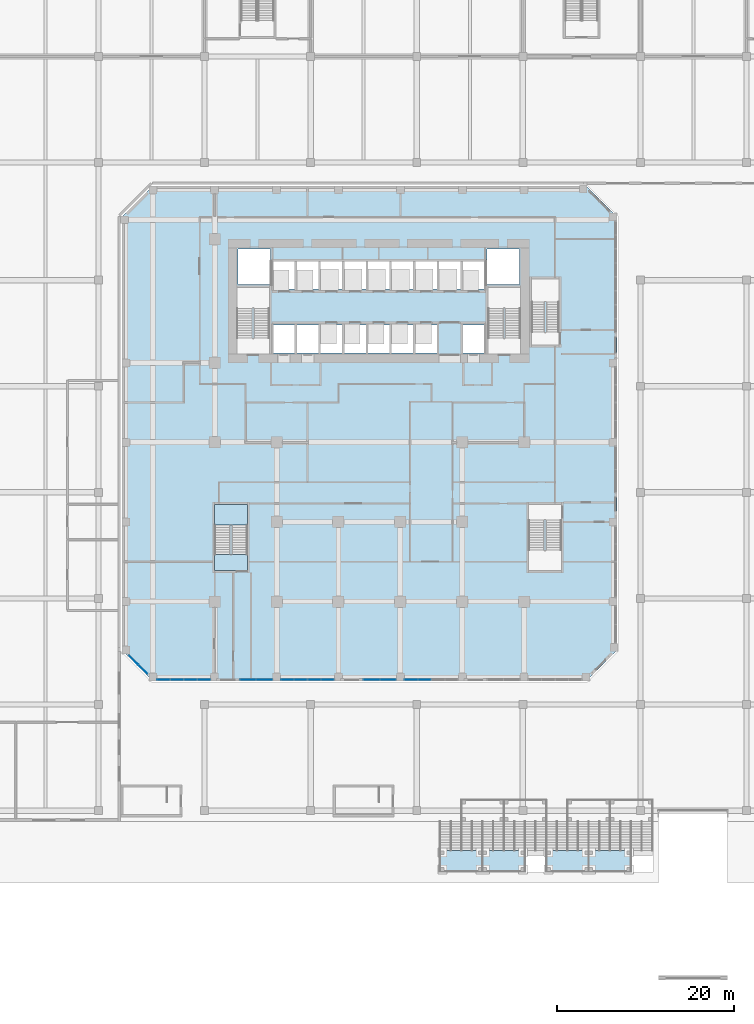
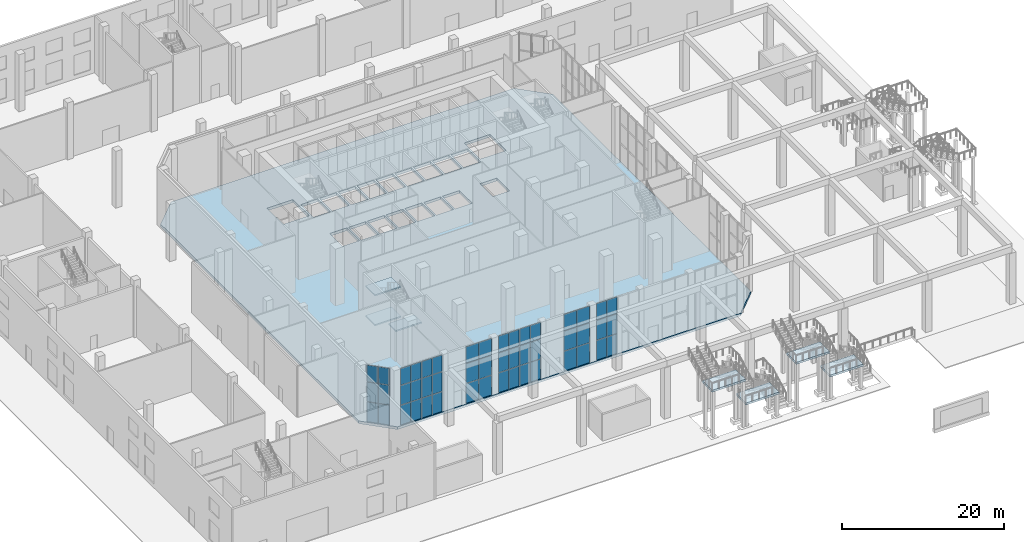
# One storey, part 14 of 43: 48 plates, 8 slabs, 11 elements without a shape of their own.
"""IFC4 building model written with IfcOpenShell, lengths in metres."""

from ifc_helpers import new_model, si_unit, direction, frame, origin, origin_2d, place, context, subcontext, project, spatial, polyline, rectangle, outline, extrude, source, transform, mapped, material, layer, layer_set, type_object, element, aggregate, save


model = new_model("IFC4")

# Units and contexts
model_context = context("Model", 3, precision=1e-05, world=origin(), true_north=direction((0.0, 1.0)))
body_context = subcontext(model_context, "Body", "Model", "MODEL_VIEW")
ifc_project = project(units=[si_unit("LENGTHUNIT", "METRE"), si_unit("AREAUNIT", "SQUARE_METRE"), si_unit("VOLUMEUNIT", "CUBIC_METRE"), si_unit("PLANEANGLEUNIT", "RADIAN"), si_unit("MASSUNIT", "GRAM", prefix="KILO")], contexts=[model_context])

# Site, building, storey
site_placement = place(None, origin())
site = spatial("IfcSite", under=ifc_project, at=site_placement, CompositionType="ELEMENT")
building_placement = place(site_placement, origin())
building = spatial("IfcBuilding", under=site, at=building_placement, Name="Kilnfold Tower and Market Hall", CompositionType="ELEMENT")
storey_placement = place(building_placement, origin())
storey = spatial("IfcBuildingStorey", under=building, at=storey_placement, Name="L00", CompositionType="ELEMENT", Elevation=0.0)

# Slab
ifc_material_1 = material(Name="Concrete C45", Category="concrete")
ifc_layer_1 = layer(ifc_material_1, 0.409912109375)
ifc_layer_set_1 = layer_set([ifc_layer_1], Name="Concrete C45")
slab_type_1 = type_object("IfcSlabType", Name="GROUND SLAB 410", PredefinedType="BASESLAB", material=ifc_layer_set_1)
shared_shape_1 = source(origin(), body_context, "Body", "SweptSolid", [
    extrude(outline(polyline([(-24.5, -28.0), (24.5, -28.0), (28.0, -24.5), (28.0, 24.5), (24.5, 28.0), (-24.5, 28.0), (-28.0, 24.5), (-28.0, -24.5), (-24.5, -28.0)]), holes=[polyline([(-11.175048828125, 16.875), (-14.875, 16.875), (-14.875, 20.875), (-11.175048828125, 20.875), (-11.175048828125, 16.875)]), polyline([(-8.455078125, 9.125), (-10.885009765625, 9.125), (-10.885009765625, 12.27490234375), (-8.455078125, 12.27490234375), (-8.455078125, 9.125)]), polyline([(-8.455078125, 16.324951171875), (-10.885009765625, 16.324951171875), (-10.885009765625, 19.47509765625), (-8.455078125, 19.47509765625), (-8.455078125, 16.324951171875)]), polyline([(-5.77490234375, 9.125), (-8.205078125, 9.125), (-8.205078125, 12.27490234375), (-5.77490234375, 12.27490234375), (-5.77490234375, 9.125)]), polyline([(-5.77490234375, 16.324951171875), (-8.205078125, 16.324951171875), (-8.205078125, 19.47509765625), (-5.77490234375, 19.47509765625), (-5.77490234375, 16.324951171875)]), polyline([(-3.094970703125, 9.125), (-5.52490234375, 9.125), (-5.52490234375, 12.27490234375), (-3.094970703125, 12.27490234375), (-3.094970703125, 9.125)]), polyline([(-5.52490234375, 16.324951171875), (-5.52490234375, 19.47509765625), (-3.094970703125, 19.47509765625), (-3.094970703125, 16.324951171875), (-5.52490234375, 16.324951171875)]), polyline([(-0.4150390625, 9.125), (-2.844970703125, 9.125), (-2.844970703125, 12.27490234375), (-0.4150390625, 12.27490234375), (-0.4150390625, 9.125)]), polyline([(-2.844970703125, 16.324951171875), (-2.844970703125, 19.47509765625), (-0.4150390625, 19.47509765625), (-0.4150390625, 16.324951171875), (-2.844970703125, 16.324951171875)]), polyline([(2.264892578125, 9.125), (-0.1650390625, 9.125), (-0.1650390625, 12.27490234375), (2.264892578125, 12.27490234375), (2.264892578125, 9.125)]), polyline([(-0.1650390625, 16.324951171875), (-0.1650390625, 19.47509765625), (2.264892578125, 19.47509765625), (2.264892578125, 16.324951171875), (-0.1650390625, 16.324951171875)]), polyline([(4.945068359375, 9.125), (2.514892578125, 9.125), (2.514892578125, 12.27490234375), (4.945068359375, 12.27490234375), (4.945068359375, 9.125)]), polyline([(4.945068359375, 16.324951171875), (2.514892578125, 16.324951171875), (2.514892578125, 19.47509765625), (4.945068359375, 19.47509765625), (4.945068359375, 16.324951171875)]), polyline([(7.625, 9.125), (5.195068359375, 9.125), (5.195068359375, 12.27490234375), (7.625, 12.27490234375), (7.625, 9.125)]), polyline([(7.625, 16.324951171875), (5.195068359375, 16.324951171875), (5.195068359375, 19.47509765625), (7.625, 19.47509765625), (7.625, 16.324951171875)]), polyline([(10.304931640625, 16.324951171875), (7.875, 16.324951171875), (7.875, 19.47509765625), (10.304931640625, 19.47509765625), (10.304931640625, 16.324951171875)]), polyline([(10.554931640625, 9.125), (10.554931640625, 12.27490234375), (12.985107421875, 12.27490234375), (12.985107421875, 9.125), (10.554931640625, 9.125)]), polyline([(10.554931640625, 16.324951171875), (10.554931640625, 19.47509765625), (12.985107421875, 19.47509765625), (12.985107421875, 16.324951171875), (10.554931640625, 16.324951171875)]), polyline([(13.27490234375, 16.875), (13.27490234375, 20.875), (16.97509765625, 20.875), (16.97509765625, 16.875), (13.27490234375, 16.875)])]), origin(), (0.0, 0.0, 1.0), 0.41015625),
])
slab_1_placement = place(storey_placement, frame((0.0, 0.0, -0.41015625)))
element("IfcSlab", 1, at=slab_1_placement, inside=storey, type_object=slab_type_1, Name="Floor slab L00", PredefinedType="BASESLAB", context=body_context, shape_type="MappedRepresentation", body=[
    mapped(shared_shape_1, transform((0.0, 0.0, 0.0))),
])

# Stair, slabs
ifc_material_2 = material(Name="Concrete C40/50", Category="concrete")
stair_type_1 = type_object("IfcStairType", Name="GARDEN STAIR 2400", PredefinedType="USERDEFINED", material=ifc_material_2)
stair_1_placement = place(storey_placement, origin())
stair_1 = element("IfcStair", 2, at=stair_1_placement, inside=storey, type_object=stair_type_1, Name="Garden stair GS-S1", ObjectType="GARDEN STAIR", PredefinedType="USERDEFINED")
ifc_material_3 = material(Name="Concrete C40/50", Category="concrete")
ifc_layer_2 = layer(ifc_material_3, 0.300048828125)
ifc_layer_set_2 = layer_set([ifc_layer_2], Name="Concrete C40/50")
slab_type_2 = type_object("IfcSlabType", Name="GARDEN STAIR LANDING 300", PredefinedType="LANDING", material=ifc_layer_set_2)
shared_shape_2 = source(origin(), body_context, "Body", "SweptSolid", [
    extrude(outline(polyline([(8.0, -47.14990234375), (12.800048828125, -47.14990234375), (12.800048828125, -49.550048828125), (8.0, -49.550048828125), (8.0, -47.14990234375)])), origin(), (0.0, 0.0, 1.0), 0.300048828125),
])
slab_2_placement = place(storey_placement, frame((0.0, 0.0, 6.89990234375)))
slab_2 = element("IfcSlab", 3, at=slab_2_placement, type_object=slab_type_2, Name="GS-S1 landing 1", PredefinedType="LANDING", context=body_context, shape_type="MappedRepresentation", body=[
    mapped(shared_shape_2, transform((0.0, 0.0, 0.0))),
])
shared_shape_3 = source(origin(), body_context, "Body", "SweptSolid", [
    extrude(outline(polyline([(12.800048828125, -47.14990234375), (17.60009765625, -47.14990234375), (17.60009765625, -49.550048828125), (12.800048828125, -49.550048828125), (12.800048828125, -47.14990234375)])), origin(), (0.0, 0.0, 1.0), 0.300048828125),
])
slab_3_placement = place(storey_placement, frame((0.0, 0.0, 3.300048828125)))
slab_3 = element("IfcSlab", 4, at=slab_3_placement, type_object=slab_type_2, Name="GS-S1 landing 3", PredefinedType="LANDING", context=body_context, shape_type="MappedRepresentation", body=[
    mapped(shared_shape_3, transform((0.0, 0.0, 0.0))),
])
aggregate(stair_1, [slab_2, slab_3])

stair_2_placement = place(storey_placement, origin())
stair_2 = element("IfcStair", 5, at=stair_2_placement, inside=storey, type_object=stair_type_1, Name="Garden stair GS-S2", ObjectType="GARDEN STAIR", PredefinedType="USERDEFINED")
shared_shape_4 = source(origin(), body_context, "Body", "SweptSolid", [
    extrude(outline(polyline([(20.0, -47.14990234375), (24.800048828125, -47.14990234375), (24.800048828125, -49.550048828125), (20.0, -49.550048828125), (20.0, -47.14990234375)])), origin(), (0.0, 0.0, 1.0), 0.300048828125),
])
slab_4_placement = place(storey_placement, frame((0.0, 0.0, 6.89990234375)))
slab_4 = element("IfcSlab", 6, at=slab_4_placement, type_object=slab_type_2, Name="GS-S2 landing 1", PredefinedType="LANDING", context=body_context, shape_type="MappedRepresentation", body=[
    mapped(shared_shape_4, transform((0.0, 0.0, 0.0))),
])
shared_shape_5 = source(origin(), body_context, "Body", "SweptSolid", [
    extrude(outline(polyline([(24.800048828125, -47.14990234375), (29.60009765625, -47.14990234375), (29.60009765625, -49.550048828125), (24.800048828125, -49.550048828125), (24.800048828125, -47.14990234375)])), origin(), (0.0, 0.0, 1.0), 0.300048828125),
])
slab_5_placement = place(storey_placement, frame((0.0, 0.0, 3.300048828125)))
slab_5 = element("IfcSlab", 7, at=slab_5_placement, type_object=slab_type_2, Name="GS-S2 landing 3", PredefinedType="LANDING", context=body_context, shape_type="MappedRepresentation", body=[
    mapped(shared_shape_5, transform((0.0, 0.0, 0.0))),
])
aggregate(stair_2, [slab_4, slab_5])

# Curtain wall, plates
ifc_material_4 = material(Name="Aluminium and double glazing", Category="aluminium")
curtain_wall_type = type_object("IfcCurtainWallType", Name="CW BASE PODIUM GLAZING", PredefinedType="NOTDEFINED", material=ifc_material_4)
curtain_wall_1_placement = place(storey_placement, origin())
curtain_wall_1 = element("IfcCurtainWall", 8, at=curtain_wall_1_placement, inside=storey, type_object=curtain_wall_type, Name="Curtain wall CW4 L00 S", PredefinedType="NOTDEFINED")
ifc_material_5 = material(Name="Double glazed unit")
ifc_layer_3 = layer(ifc_material_5, 0.035888671875)
ifc_layer_set_3 = layer_set([ifc_layer_3], Name="Double glazed unit")
plate_type = type_object("IfcPlateType", Name="GLAZING PANEL 36", PredefinedType="CURTAIN_PANEL", material=ifc_layer_set_3)
shared_shape_6 = source(origin(), body_context, "Body", "SweptSolid", [
    extrude(rectangle(XDim=1.419921875, YDim=0.035888671875, at=origin_2d()), origin(), (0.0, 0.0, 1.0), 2.965087890625),
])
plate_1_placement = place(storey_placement, frame((-23.27001953125, -27.85009765625, 0.0), z_axis=(0.0, 0.0, 1.0), x_axis=(1.0, 0.0, 0.0)))
plate_1 = element("IfcPlate", 9, at=plate_1_placement, type_object=plate_type, Name="CW4 panel 1.1", PredefinedType="CURTAIN_PANEL", context=body_context, shape_type="MappedRepresentation", body=[
    mapped(shared_shape_6, transform((0.0, 0.0, 0.0))),
])
plate_2_placement = place(storey_placement, frame((-21.780029296875, -27.85009765625, 0.0), z_axis=(0.0, 0.0, 1.0), x_axis=(1.0, 0.0, 0.0)))
plate_2 = element("IfcPlate", 10, at=plate_2_placement, type_object=plate_type, Name="CW4 panel 2.1", PredefinedType="CURTAIN_PANEL", context=body_context, shape_type="MappedRepresentation", body=[
    mapped(shared_shape_6, transform((0.0, 0.0, 0.0))),
])

curtain_wall_2_placement = place(storey_placement, origin())
curtain_wall_2 = element("IfcCurtainWall", 11, at=curtain_wall_2_placement, inside=storey, type_object=curtain_wall_type, Name="Curtain wall CW4 L00 S", PredefinedType="NOTDEFINED")
plate_3_placement = place(storey_placement, frame((-20.219970703125, -27.85009765625, 0.0), z_axis=(0.0, 0.0, 1.0), x_axis=(1.0, 0.0, 0.0)))
plate_3 = element("IfcPlate", 12, at=plate_3_placement, type_object=plate_type, Name="CW4 panel 1.1", PredefinedType="CURTAIN_PANEL", context=body_context, shape_type="MappedRepresentation", body=[
    mapped(shared_shape_6, transform((0.0, 0.0, 0.0))),
])
plate_4_placement = place(storey_placement, frame((-18.72998046875, -27.85009765625, 0.0), z_axis=(0.0, 0.0, 1.0), x_axis=(1.0, 0.0, 0.0)))
plate_4 = element("IfcPlate", 13, at=plate_4_placement, type_object=plate_type, Name="CW4 panel 2.1", PredefinedType="CURTAIN_PANEL", context=body_context, shape_type="MappedRepresentation", body=[
    mapped(shared_shape_6, transform((0.0, 0.0, 0.0))),
])

curtain_wall_3_placement = place(storey_placement, origin())
curtain_wall_3 = element("IfcCurtainWall", 14, at=curtain_wall_3_placement, inside=storey, type_object=curtain_wall_type, Name="Curtain wall CW4 L00 S", PredefinedType="NOTDEFINED")
plate_5_placement = place(storey_placement, frame((-9.27001953125, -27.85009765625, 0.0), z_axis=(0.0, 0.0, 1.0), x_axis=(1.0, 0.0, 0.0)))
plate_5 = element("IfcPlate", 15, at=plate_5_placement, type_object=plate_type, Name="CW4 panel 1.1", PredefinedType="CURTAIN_PANEL", context=body_context, shape_type="MappedRepresentation", body=[
    mapped(shared_shape_6, transform((0.0, 0.0, 0.0))),
])
plate_6_placement = place(storey_placement, frame((-7.780029296875, -27.85009765625, 0.0), z_axis=(0.0, 0.0, 1.0), x_axis=(1.0, 0.0, 0.0)))
plate_6 = element("IfcPlate", 16, at=plate_6_placement, type_object=plate_type, Name="CW4 panel 2.1", PredefinedType="CURTAIN_PANEL", context=body_context, shape_type="MappedRepresentation", body=[
    mapped(shared_shape_6, transform((0.0, 0.0, 0.0))),
])

curtain_wall_4_placement = place(storey_placement, origin())
curtain_wall_4 = element("IfcCurtainWall", 17, at=curtain_wall_4_placement, inside=storey, type_object=curtain_wall_type, Name="Curtain wall CW4 L00 S", PredefinedType="NOTDEFINED")
plate_7_placement = place(storey_placement, frame((-6.219970703125, -27.85009765625, 0.0), z_axis=(0.0, 0.0, 1.0), x_axis=(1.0, 0.0, 0.0)))
plate_7 = element("IfcPlate", 18, at=plate_7_placement, type_object=plate_type, Name="CW4 panel 1.1", PredefinedType="CURTAIN_PANEL", context=body_context, shape_type="MappedRepresentation", body=[
    mapped(shared_shape_6, transform((0.0, 0.0, 0.0))),
])
plate_8_placement = place(storey_placement, frame((-4.72998046875, -27.85009765625, 0.0), z_axis=(0.0, 0.0, 1.0), x_axis=(1.0, 0.0, 0.0)))
plate_8 = element("IfcPlate", 19, at=plate_8_placement, type_object=plate_type, Name="CW4 panel 2.1", PredefinedType="CURTAIN_PANEL", context=body_context, shape_type="MappedRepresentation", body=[
    mapped(shared_shape_6, transform((0.0, 0.0, 0.0))),
])

curtain_wall_5_placement = place(storey_placement, origin())
curtain_wall_5 = element("IfcCurtainWall", 20, at=curtain_wall_5_placement, inside=storey, type_object=curtain_wall_type, Name="Curtain wall CW4 L00 S", PredefinedType="NOTDEFINED")
plate_9_placement = place(storey_placement, frame((4.72998046875, -27.85009765625, 0.0), z_axis=(0.0, 0.0, 1.0), x_axis=(1.0, 0.0, 0.0)))
plate_9 = element("IfcPlate", 21, at=plate_9_placement, type_object=plate_type, Name="CW4 panel 1.1", PredefinedType="CURTAIN_PANEL", context=body_context, shape_type="MappedRepresentation", body=[
    mapped(shared_shape_6, transform((0.0, 0.0, 0.0))),
])
plate_10_placement = place(storey_placement, frame((6.219970703125, -27.85009765625, 0.0), z_axis=(0.0, 0.0, 1.0), x_axis=(1.0, 0.0, 0.0)))
plate_10 = element("IfcPlate", 22, at=plate_10_placement, type_object=plate_type, Name="CW4 panel 2.1", PredefinedType="CURTAIN_PANEL", context=body_context, shape_type="MappedRepresentation", body=[
    mapped(shared_shape_6, transform((0.0, 0.0, 0.0))),
])

# Plate
shared_shape_7 = source(origin(), body_context, "Body", "SweptSolid", [
    extrude(rectangle(XDim=1.419921875, YDim=0.035888671875, at=origin_2d()), origin(), (0.0, 0.0, 1.0), 2.929931640625),
])
plate_11_placement = place(storey_placement, frame((-23.27001953125, -27.85009765625, 3.03515625), z_axis=(0.0, 0.0, 1.0), x_axis=(1.0, 0.0, 0.0)))
plate_11 = element("IfcPlate", 23, at=plate_11_placement, type_object=plate_type, Name="CW4 panel 1.2", PredefinedType="CURTAIN_PANEL", context=body_context, shape_type="MappedRepresentation", body=[
    mapped(shared_shape_7, transform((0.0, 0.0, 0.0))),
])

plate_12_placement = place(storey_placement, frame((-21.780029296875, -27.85009765625, 3.03515625), z_axis=(0.0, 0.0, 1.0), x_axis=(1.0, 0.0, 0.0)))
plate_12 = element("IfcPlate", 24, at=plate_12_placement, type_object=plate_type, Name="CW4 panel 2.2", PredefinedType="CURTAIN_PANEL", context=body_context, shape_type="MappedRepresentation", body=[
    mapped(shared_shape_7, transform((0.0, 0.0, 0.0))),
])

plate_13_placement = place(storey_placement, frame((-20.219970703125, -27.85009765625, 3.03515625), z_axis=(0.0, 0.0, 1.0), x_axis=(1.0, 0.0, 0.0)))
plate_13 = element("IfcPlate", 25, at=plate_13_placement, type_object=plate_type, Name="CW4 panel 1.2", PredefinedType="CURTAIN_PANEL", context=body_context, shape_type="MappedRepresentation", body=[
    mapped(shared_shape_7, transform((0.0, 0.0, 0.0))),
])

plate_14_placement = place(storey_placement, frame((-18.72998046875, -27.85009765625, 3.03515625), z_axis=(0.0, 0.0, 1.0), x_axis=(1.0, 0.0, 0.0)))
plate_14 = element("IfcPlate", 26, at=plate_14_placement, type_object=plate_type, Name="CW4 panel 2.2", PredefinedType="CURTAIN_PANEL", context=body_context, shape_type="MappedRepresentation", body=[
    mapped(shared_shape_7, transform((0.0, 0.0, 0.0))),
])

plate_15_placement = place(storey_placement, frame((-9.27001953125, -27.85009765625, 3.03515625), z_axis=(0.0, 0.0, 1.0), x_axis=(1.0, 0.0, 0.0)))
plate_15 = element("IfcPlate", 27, at=plate_15_placement, type_object=plate_type, Name="CW4 panel 1.2", PredefinedType="CURTAIN_PANEL", context=body_context, shape_type="MappedRepresentation", body=[
    mapped(shared_shape_7, transform((0.0, 0.0, 0.0))),
])

plate_16_placement = place(storey_placement, frame((-7.780029296875, -27.85009765625, 3.03515625), z_axis=(0.0, 0.0, 1.0), x_axis=(1.0, 0.0, 0.0)))
plate_16 = element("IfcPlate", 28, at=plate_16_placement, type_object=plate_type, Name="CW4 panel 2.2", PredefinedType="CURTAIN_PANEL", context=body_context, shape_type="MappedRepresentation", body=[
    mapped(shared_shape_7, transform((0.0, 0.0, 0.0))),
])

plate_17_placement = place(storey_placement, frame((-6.219970703125, -27.85009765625, 3.03515625), z_axis=(0.0, 0.0, 1.0), x_axis=(1.0, 0.0, 0.0)))
plate_17 = element("IfcPlate", 29, at=plate_17_placement, type_object=plate_type, Name="CW4 panel 1.2", PredefinedType="CURTAIN_PANEL", context=body_context, shape_type="MappedRepresentation", body=[
    mapped(shared_shape_7, transform((0.0, 0.0, 0.0))),
])

plate_18_placement = place(storey_placement, frame((-4.72998046875, -27.85009765625, 3.03515625), z_axis=(0.0, 0.0, 1.0), x_axis=(1.0, 0.0, 0.0)))
plate_18 = element("IfcPlate", 30, at=plate_18_placement, type_object=plate_type, Name="CW4 panel 2.2", PredefinedType="CURTAIN_PANEL", context=body_context, shape_type="MappedRepresentation", body=[
    mapped(shared_shape_7, transform((0.0, 0.0, 0.0))),
])

plate_19_placement = place(storey_placement, frame((4.72998046875, -27.85009765625, 3.03515625), z_axis=(0.0, 0.0, 1.0), x_axis=(1.0, 0.0, 0.0)))
plate_19 = element("IfcPlate", 31, at=plate_19_placement, type_object=plate_type, Name="CW4 panel 1.2", PredefinedType="CURTAIN_PANEL", context=body_context, shape_type="MappedRepresentation", body=[
    mapped(shared_shape_7, transform((0.0, 0.0, 0.0))),
])

plate_20_placement = place(storey_placement, frame((6.219970703125, -27.85009765625, 3.03515625), z_axis=(0.0, 0.0, 1.0), x_axis=(1.0, 0.0, 0.0)))
plate_20 = element("IfcPlate", 32, at=plate_20_placement, type_object=plate_type, Name="CW4 panel 2.2", PredefinedType="CURTAIN_PANEL", context=body_context, shape_type="MappedRepresentation", body=[
    mapped(shared_shape_7, transform((0.0, 0.0, 0.0))),
])

shared_shape_8 = source(origin(), body_context, "Body", "SweptSolid", [
    extrude(rectangle(XDim=1.419921875, YDim=0.035888671875, at=origin_2d()), origin(), (0.0, 0.0, 1.0), 2.4951171875),
])
plate_21_placement = place(storey_placement, frame((-23.27001953125, -27.85009765625, 6.034912109375), z_axis=(0.0, 0.0, 1.0), x_axis=(1.0, 0.0, 0.0)))
plate_21 = element("IfcPlate", 33, at=plate_21_placement, type_object=plate_type, Name="CW4 panel 1.3", PredefinedType="CURTAIN_PANEL", context=body_context, shape_type="MappedRepresentation", body=[
    mapped(shared_shape_8, transform((0.0, 0.0, 0.0))),
])

plate_22_placement = place(storey_placement, frame((-21.780029296875, -27.85009765625, 6.034912109375), z_axis=(0.0, 0.0, 1.0), x_axis=(1.0, 0.0, 0.0)))
plate_22 = element("IfcPlate", 34, at=plate_22_placement, type_object=plate_type, Name="CW4 panel 2.3", PredefinedType="CURTAIN_PANEL", context=body_context, shape_type="MappedRepresentation", body=[
    mapped(shared_shape_8, transform((0.0, 0.0, 0.0))),
])

aggregate(curtain_wall_1, [plate_1, plate_11, plate_21, plate_2, plate_12, plate_22])

plate_23_placement = place(storey_placement, frame((-20.219970703125, -27.85009765625, 6.034912109375), z_axis=(0.0, 0.0, 1.0), x_axis=(1.0, 0.0, 0.0)))
plate_23 = element("IfcPlate", 35, at=plate_23_placement, type_object=plate_type, Name="CW4 panel 1.3", PredefinedType="CURTAIN_PANEL", context=body_context, shape_type="MappedRepresentation", body=[
    mapped(shared_shape_8, transform((0.0, 0.0, 0.0))),
])

plate_24_placement = place(storey_placement, frame((-18.72998046875, -27.85009765625, 6.034912109375), z_axis=(0.0, 0.0, 1.0), x_axis=(1.0, 0.0, 0.0)))
plate_24 = element("IfcPlate", 36, at=plate_24_placement, type_object=plate_type, Name="CW4 panel 2.3", PredefinedType="CURTAIN_PANEL", context=body_context, shape_type="MappedRepresentation", body=[
    mapped(shared_shape_8, transform((0.0, 0.0, 0.0))),
])

aggregate(curtain_wall_2, [plate_3, plate_13, plate_23, plate_4, plate_14, plate_24])

plate_25_placement = place(storey_placement, frame((-9.27001953125, -27.85009765625, 6.034912109375), z_axis=(0.0, 0.0, 1.0), x_axis=(1.0, 0.0, 0.0)))
plate_25 = element("IfcPlate", 37, at=plate_25_placement, type_object=plate_type, Name="CW4 panel 1.3", PredefinedType="CURTAIN_PANEL", context=body_context, shape_type="MappedRepresentation", body=[
    mapped(shared_shape_8, transform((0.0, 0.0, 0.0))),
])

plate_26_placement = place(storey_placement, frame((-7.780029296875, -27.85009765625, 6.034912109375), z_axis=(0.0, 0.0, 1.0), x_axis=(1.0, 0.0, 0.0)))
plate_26 = element("IfcPlate", 38, at=plate_26_placement, type_object=plate_type, Name="CW4 panel 2.3", PredefinedType="CURTAIN_PANEL", context=body_context, shape_type="MappedRepresentation", body=[
    mapped(shared_shape_8, transform((0.0, 0.0, 0.0))),
])

aggregate(curtain_wall_3, [plate_5, plate_15, plate_25, plate_6, plate_16, plate_26])

plate_27_placement = place(storey_placement, frame((-6.219970703125, -27.85009765625, 6.034912109375), z_axis=(0.0, 0.0, 1.0), x_axis=(1.0, 0.0, 0.0)))
plate_27 = element("IfcPlate", 39, at=plate_27_placement, type_object=plate_type, Name="CW4 panel 1.3", PredefinedType="CURTAIN_PANEL", context=body_context, shape_type="MappedRepresentation", body=[
    mapped(shared_shape_8, transform((0.0, 0.0, 0.0))),
])

plate_28_placement = place(storey_placement, frame((-4.72998046875, -27.85009765625, 6.034912109375), z_axis=(0.0, 0.0, 1.0), x_axis=(1.0, 0.0, 0.0)))
plate_28 = element("IfcPlate", 40, at=plate_28_placement, type_object=plate_type, Name="CW4 panel 2.3", PredefinedType="CURTAIN_PANEL", context=body_context, shape_type="MappedRepresentation", body=[
    mapped(shared_shape_8, transform((0.0, 0.0, 0.0))),
])

aggregate(curtain_wall_4, [plate_7, plate_17, plate_27, plate_8, plate_18, plate_28])

plate_29_placement = place(storey_placement, frame((4.72998046875, -27.85009765625, 6.034912109375), z_axis=(0.0, 0.0, 1.0), x_axis=(1.0, 0.0, 0.0)))
plate_29 = element("IfcPlate", 41, at=plate_29_placement, type_object=plate_type, Name="CW4 panel 1.3", PredefinedType="CURTAIN_PANEL", context=body_context, shape_type="MappedRepresentation", body=[
    mapped(shared_shape_8, transform((0.0, 0.0, 0.0))),
])

plate_30_placement = place(storey_placement, frame((6.219970703125, -27.85009765625, 6.034912109375), z_axis=(0.0, 0.0, 1.0), x_axis=(1.0, 0.0, 0.0)))
plate_30 = element("IfcPlate", 42, at=plate_30_placement, type_object=plate_type, Name="CW4 panel 2.3", PredefinedType="CURTAIN_PANEL", context=body_context, shape_type="MappedRepresentation", body=[
    mapped(shared_shape_8, transform((0.0, 0.0, 0.0))),
])

aggregate(curtain_wall_5, [plate_9, plate_19, plate_29, plate_10, plate_20, plate_30])

# Curtain wall, plates
curtain_wall_6_placement = place(storey_placement, origin())
curtain_wall_6 = element("IfcCurtainWall", 43, at=curtain_wall_6_placement, inside=storey, type_object=curtain_wall_type, Name="Curtain wall CW4 L00 S", PredefinedType="NOTDEFINED")
shared_shape_9 = source(origin(), body_context, "Body", "SweptSolid", [
    extrude(rectangle(XDim=1.77001953125, YDim=0.035888671875, at=origin_2d()), origin(), (0.0, 0.0, 1.0), 2.965087890625),
])
plate_31_placement = place(storey_placement, frame((-13.7451171875, -27.85009765625, 0.0), z_axis=(0.0, 0.0, 1.0), x_axis=(1.0, 0.0, 0.0)))
plate_31 = element("IfcPlate", 44, at=plate_31_placement, type_object=plate_type, Name="CW4 panel 1.1", PredefinedType="CURTAIN_PANEL", context=body_context, shape_type="MappedRepresentation", body=[
    mapped(shared_shape_9, transform((0.0, 0.0, 0.0))),
])
plate_32_placement = place(storey_placement, frame((-11.905029296875, -27.85009765625, 0.0), z_axis=(0.0, 0.0, 1.0), x_axis=(1.0, 0.0, 0.0)))
plate_32 = element("IfcPlate", 45, at=plate_32_placement, type_object=plate_type, Name="CW4 panel 2.1", PredefinedType="CURTAIN_PANEL", context=body_context, shape_type="MappedRepresentation", body=[
    mapped(shared_shape_9, transform((0.0, 0.0, 0.0))),
])

curtain_wall_7_placement = place(storey_placement, origin())
curtain_wall_7 = element("IfcCurtainWall", 46, at=curtain_wall_7_placement, inside=storey, type_object=curtain_wall_type, Name="Curtain wall CW4 L00 S", PredefinedType="NOTDEFINED")
plate_33_placement = place(storey_placement, frame((0.2548828125, -27.85009765625, 0.0), z_axis=(0.0, 0.0, 1.0), x_axis=(1.0, 0.0, 0.0)))
plate_33 = element("IfcPlate", 47, at=plate_33_placement, type_object=plate_type, Name="CW4 panel 1.1", PredefinedType="CURTAIN_PANEL", context=body_context, shape_type="MappedRepresentation", body=[
    mapped(shared_shape_9, transform((0.0, 0.0, 0.0))),
])
plate_34_placement = place(storey_placement, frame((2.094970703125, -27.85009765625, 0.0), z_axis=(0.0, 0.0, 1.0), x_axis=(1.0, 0.0, 0.0)))
plate_34 = element("IfcPlate", 48, at=plate_34_placement, type_object=plate_type, Name="CW4 panel 2.1", PredefinedType="CURTAIN_PANEL", context=body_context, shape_type="MappedRepresentation", body=[
    mapped(shared_shape_9, transform((0.0, 0.0, 0.0))),
])

# Plate
shared_shape_10 = source(origin(), body_context, "Body", "SweptSolid", [
    extrude(rectangle(XDim=1.77001953125, YDim=0.035888671875, at=origin_2d()), origin(), (0.0, 0.0, 1.0), 2.929931640625),
])
plate_35_placement = place(storey_placement, frame((-13.7451171875, -27.85009765625, 3.03515625), z_axis=(0.0, 0.0, 1.0), x_axis=(1.0, 0.0, 0.0)))
plate_35 = element("IfcPlate", 49, at=plate_35_placement, type_object=plate_type, Name="CW4 panel 1.2", PredefinedType="CURTAIN_PANEL", context=body_context, shape_type="MappedRepresentation", body=[
    mapped(shared_shape_10, transform((0.0, 0.0, 0.0))),
])

plate_36_placement = place(storey_placement, frame((-11.905029296875, -27.85009765625, 3.03515625), z_axis=(0.0, 0.0, 1.0), x_axis=(1.0, 0.0, 0.0)))
plate_36 = element("IfcPlate", 50, at=plate_36_placement, type_object=plate_type, Name="CW4 panel 2.2", PredefinedType="CURTAIN_PANEL", context=body_context, shape_type="MappedRepresentation", body=[
    mapped(shared_shape_10, transform((0.0, 0.0, 0.0))),
])

plate_37_placement = place(storey_placement, frame((0.2548828125, -27.85009765625, 3.03515625), z_axis=(0.0, 0.0, 1.0), x_axis=(1.0, 0.0, 0.0)))
plate_37 = element("IfcPlate", 51, at=plate_37_placement, type_object=plate_type, Name="CW4 panel 1.2", PredefinedType="CURTAIN_PANEL", context=body_context, shape_type="MappedRepresentation", body=[
    mapped(shared_shape_10, transform((0.0, 0.0, 0.0))),
])

plate_38_placement = place(storey_placement, frame((2.094970703125, -27.85009765625, 3.03515625), z_axis=(0.0, 0.0, 1.0), x_axis=(1.0, 0.0, 0.0)))
plate_38 = element("IfcPlate", 52, at=plate_38_placement, type_object=plate_type, Name="CW4 panel 2.2", PredefinedType="CURTAIN_PANEL", context=body_context, shape_type="MappedRepresentation", body=[
    mapped(shared_shape_10, transform((0.0, 0.0, 0.0))),
])

shared_shape_11 = source(origin(), body_context, "Body", "SweptSolid", [
    extrude(rectangle(XDim=1.77001953125, YDim=0.035888671875, at=origin_2d()), origin(), (0.0, 0.0, 1.0), 2.4951171875),
])
plate_39_placement = place(storey_placement, frame((-13.7451171875, -27.85009765625, 6.034912109375), z_axis=(0.0, 0.0, 1.0), x_axis=(1.0, 0.0, 0.0)))
plate_39 = element("IfcPlate", 53, at=plate_39_placement, type_object=plate_type, Name="CW4 panel 1.3", PredefinedType="CURTAIN_PANEL", context=body_context, shape_type="MappedRepresentation", body=[
    mapped(shared_shape_11, transform((0.0, 0.0, 0.0))),
])

plate_40_placement = place(storey_placement, frame((-11.905029296875, -27.85009765625, 6.034912109375), z_axis=(0.0, 0.0, 1.0), x_axis=(1.0, 0.0, 0.0)))
plate_40 = element("IfcPlate", 54, at=plate_40_placement, type_object=plate_type, Name="CW4 panel 2.3", PredefinedType="CURTAIN_PANEL", context=body_context, shape_type="MappedRepresentation", body=[
    mapped(shared_shape_11, transform((0.0, 0.0, 0.0))),
])

aggregate(curtain_wall_6, [plate_31, plate_35, plate_39, plate_32, plate_36, plate_40])

plate_41_placement = place(storey_placement, frame((0.2548828125, -27.85009765625, 6.034912109375), z_axis=(0.0, 0.0, 1.0), x_axis=(1.0, 0.0, 0.0)))
plate_41 = element("IfcPlate", 55, at=plate_41_placement, type_object=plate_type, Name="CW4 panel 1.3", PredefinedType="CURTAIN_PANEL", context=body_context, shape_type="MappedRepresentation", body=[
    mapped(shared_shape_11, transform((0.0, 0.0, 0.0))),
])

plate_42_placement = place(storey_placement, frame((2.094970703125, -27.85009765625, 6.034912109375), z_axis=(0.0, 0.0, 1.0), x_axis=(1.0, 0.0, 0.0)))
plate_42 = element("IfcPlate", 56, at=plate_42_placement, type_object=plate_type, Name="CW4 panel 2.3", PredefinedType="CURTAIN_PANEL", context=body_context, shape_type="MappedRepresentation", body=[
    mapped(shared_shape_11, transform((0.0, 0.0, 0.0))),
])

aggregate(curtain_wall_7, [plate_33, plate_37, plate_41, plate_34, plate_38, plate_42])

# Curtain wall, plates
curtain_wall_8_placement = place(storey_placement, origin())
curtain_wall_8 = element("IfcCurtainWall", 57, at=curtain_wall_8_placement, inside=storey, type_object=curtain_wall_type, Name="Curtain wall CW4 L00 SW", PredefinedType="NOTDEFINED")
shared_shape_12 = source(origin(), body_context, "Body", "SweptSolid", [
    extrude(rectangle(XDim=1.415283203125, YDim=0.035888671875, at=origin_2d()), origin(), (0.0, 0.0, 1.0), 2.965087890625),
])
plate_43_placement = place(storey_placement, frame((-26.6689453125, -25.618896484375, 0.0), z_axis=(0.0, 0.0, 1.0), x_axis=(0.707090337034, -0.707123224957, 0.0)))
plate_43 = element("IfcPlate", 58, at=plate_43_placement, type_object=plate_type, Name="CW4 panel 1.1", PredefinedType="CURTAIN_PANEL", context=body_context, shape_type="MappedRepresentation", body=[
    mapped(shared_shape_12, transform((0.0, 0.0, 0.0))),
])
plate_44_placement = place(storey_placement, frame((-25.61865234375, -26.669189453125, 0.0), z_axis=(0.0, 0.0, 1.0), x_axis=(0.707090337034, -0.707123224957, 0.0)))
plate_44 = element("IfcPlate", 59, at=plate_44_placement, type_object=plate_type, Name="CW4 panel 2.1", PredefinedType="CURTAIN_PANEL", context=body_context, shape_type="MappedRepresentation", body=[
    mapped(shared_shape_12, transform((0.0, 0.0, 0.0))),
])
shared_shape_13 = source(origin(), body_context, "Body", "SweptSolid", [
    extrude(rectangle(XDim=1.415283203125, YDim=0.035888671875, at=origin_2d()), origin(), (0.0, 0.0, 1.0), 2.929931640625),
])
plate_45_placement = place(storey_placement, frame((-26.6689453125, -25.618896484375, 3.03515625), z_axis=(0.0, 0.0, 1.0), x_axis=(0.707090337034, -0.707123224957, 0.0)))
plate_45 = element("IfcPlate", 60, at=plate_45_placement, type_object=plate_type, Name="CW4 panel 1.2", PredefinedType="CURTAIN_PANEL", context=body_context, shape_type="MappedRepresentation", body=[
    mapped(shared_shape_13, transform((0.0, 0.0, 0.0))),
])
plate_46_placement = place(storey_placement, frame((-25.61865234375, -26.669189453125, 3.03515625), z_axis=(0.0, 0.0, 1.0), x_axis=(0.707090337034, -0.707123224957, 0.0)))
plate_46 = element("IfcPlate", 61, at=plate_46_placement, type_object=plate_type, Name="CW4 panel 2.2", PredefinedType="CURTAIN_PANEL", context=body_context, shape_type="MappedRepresentation", body=[
    mapped(shared_shape_13, transform((0.0, 0.0, 0.0))),
])
shared_shape_14 = source(origin(), body_context, "Body", "SweptSolid", [
    extrude(rectangle(XDim=1.415283203125, YDim=0.035888671875, at=origin_2d()), origin(), (0.0, 0.0, 1.0), 2.4951171875),
])
plate_47_placement = place(storey_placement, frame((-26.6689453125, -25.618896484375, 6.034912109375), z_axis=(0.0, 0.0, 1.0), x_axis=(0.707090337034, -0.707123224957, 0.0)))
plate_47 = element("IfcPlate", 62, at=plate_47_placement, type_object=plate_type, Name="CW4 panel 1.3", PredefinedType="CURTAIN_PANEL", context=body_context, shape_type="MappedRepresentation", body=[
    mapped(shared_shape_14, transform((0.0, 0.0, 0.0))),
])
plate_48_placement = place(storey_placement, frame((-25.61865234375, -26.669189453125, 6.034912109375), z_axis=(0.0, 0.0, 1.0), x_axis=(0.707090337034, -0.707123224957, 0.0)))
plate_48 = element("IfcPlate", 63, at=plate_48_placement, type_object=plate_type, Name="CW4 panel 2.3", PredefinedType="CURTAIN_PANEL", context=body_context, shape_type="MappedRepresentation", body=[
    mapped(shared_shape_14, transform((0.0, 0.0, 0.0))),
])
aggregate(curtain_wall_8, [plate_43, plate_45, plate_47, plate_44, plate_46, plate_48])

# Stair, slabs
ifc_material_6 = material(Name="Concrete C40/50", Category="concrete")
stair_type_2 = type_object("IfcStairType", Name="CORE STAIR 1800", PredefinedType="HALF_TURN_STAIR", material=ifc_material_6)
stair_3_placement = place(storey_placement, origin())
stair_3 = element("IfcStair", 64, at=stair_3_placement, inside=storey, type_object=stair_type_2, Name="L00 ST3", PredefinedType="HALF_TURN_STAIR")
ifc_material_7 = material(Name="Concrete C40/50", Category="concrete")
ifc_layer_4 = layer(ifc_material_7, 0.199951171875)
ifc_layer_set_4 = layer_set([ifc_layer_4], Name="Concrete C40/50")
slab_type_3 = type_object("IfcSlabType", Name="CORE STAIR LANDING 200", PredefinedType="LANDING", material=ifc_layer_set_4)
shared_shape_15 = source(origin(), body_context, "Body", "SweptSolid", [
    extrude(outline(polyline([(-13.800048828125, -10.340087890625), (-13.800048828125, -8.0), (-17.5, -8.0), (-17.5, -10.340087890625), (-13.800048828125, -10.340087890625)])), origin(), (0.0, 0.0, 1.0), 0.199951171875),
])
slab_6_placement = place(storey_placement, frame((0.0, 0.0, 2.050048828125)))
slab_6 = element("IfcSlab", 65, at=slab_6_placement, type_object=slab_type_3, Name="ST3 landing 1", PredefinedType="LANDING", context=body_context, shape_type="MappedRepresentation", body=[
    mapped(shared_shape_15, transform((0.0, 0.0, 0.0))),
])
slab_7_placement = place(storey_placement, frame((0.0, 0.0, 6.550048828125)))
slab_7 = element("IfcSlab", 66, at=slab_7_placement, type_object=slab_type_3, Name="ST3 landing 3", PredefinedType="LANDING", context=body_context, shape_type="MappedRepresentation", body=[
    mapped(shared_shape_15, transform((0.0, 0.0, 0.0))),
])
shared_shape_16 = source(origin(), body_context, "Body", "SweptSolid", [
    extrude(outline(polyline([(-13.800048828125, -15.5), (-13.800048828125, -13.699951171875), (-17.5, -13.699951171875), (-17.5, -15.5), (-13.800048828125, -15.5)])), origin(), (0.0, 0.0, 1.0), 0.199951171875),
])
slab_8_placement = place(storey_placement, frame((0.0, 0.0, 4.300048828125)))
slab_8 = element("IfcSlab", 67, at=slab_8_placement, type_object=slab_type_3, Name="ST3 landing 2", PredefinedType="LANDING", context=body_context, shape_type="MappedRepresentation", body=[
    mapped(shared_shape_16, transform((0.0, 0.0, 0.0))),
])
aggregate(stair_3, [slab_6, slab_8, slab_7])

save(model, "model.ifc")
